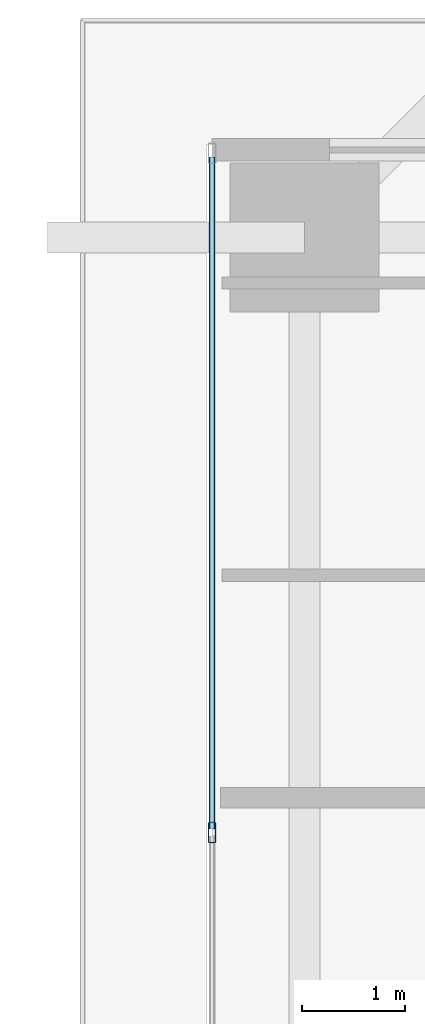
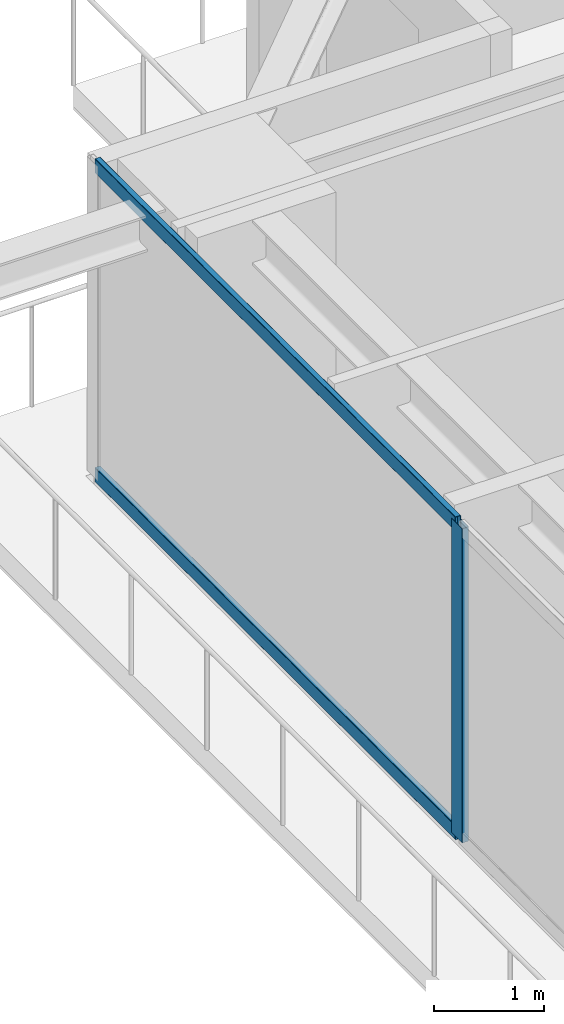
# One storey, part 16 of 38: 3 members, 1 element without a shape of its own.
"""IFC4 building model written with IfcOpenShell, lengths in metres."""

from ifc_helpers import new_model, si_unit, direction, frame, origin, origin_2d, place, context, subcontext, project, spatial, hollow_rectangle, extrude, source, transform, mapped, material, layer, layer_set, material_profile, profile_set, type_object, element, aggregate, save


model = new_model("IFC4")

# Units and contexts
model_context = context("Model", 3, precision=1e-05, world=origin(), true_north=direction((0.0, 1.0)))
body_context = subcontext(model_context, "Body", "Model", "MODEL_VIEW")
ifc_project = project(units=[si_unit("LENGTHUNIT", "METRE"), si_unit("AREAUNIT", "SQUARE_METRE"), si_unit("VOLUMEUNIT", "CUBIC_METRE"), si_unit("PLANEANGLEUNIT", "RADIAN"), si_unit("MASSUNIT", "GRAM", prefix="KILO")], contexts=[model_context])

# Site, building, storey
site_placement = place(None, origin())
site = spatial("IfcSite", under=ifc_project, at=site_placement, CompositionType="ELEMENT")
building_placement = place(site_placement, origin())
building = spatial("IfcBuilding", under=site, at=building_placement, Name="Serunith Strait Residences", CompositionType="ELEMENT")
storey_placement = place(building_placement, frame((0.0, 0.0, 37.949951171875)))
storey = spatial("IfcBuildingStorey", under=building, at=storey_placement, Name="L08", CompositionType="ELEMENT", Elevation=37.949951171875)

# Curtain wall, members
ifc_material = material(Name="Pale-Champagne Anodised Aluminium", Category="aluminium")
ifc_layer = layer(ifc_material, 0.199951171875, Name="Pale-Champagne Anodised Aluminium")
ifc_layer_set = layer_set([ifc_layer], Name="Pale-Champagne Anodised Aluminium")
curtain_wall_type = type_object("IfcCurtainWallType", Name="CW-SYS1", PredefinedType="NOTDEFINED", material=ifc_layer_set)
curtain_wall_placement = place(storey_placement, origin())
curtain_wall = element("IfcCurtainWall", 1, at=curtain_wall_placement, inside=storey, type_object=curtain_wall_type, Name="L08 W Unitised Fritted Curtain Wall", PredefinedType="NOTDEFINED")
ifc_material_profile_1 = material_profile(ifc_material, hollow_rectangle(XDim=0.070068359375, YDim=0.199951171875, WallThickness=0.00390625, InnerFilletRadius=0.006103515625, OuterFilletRadius=0.010009765625, at=origin_2d()), Name="ALU 200x70x4")
ifc_profile_set_1 = profile_set([ifc_material_profile_1], Name="Pale-Champagne Anodised Aluminium")
member_type_1 = type_object("IfcMemberType", Name="CW-SYS1-MULL", PredefinedType="MULLION", material=ifc_profile_set_1)
shared_shape_1 = source(origin(), body_context, "Body", "SweptSolid", [
    extrude(hollow_rectangle(XDim=0.070068359375, YDim=0.199951171875, WallThickness=0.00390625, InnerFilletRadius=0.006103515625, OuterFilletRadius=0.010009765625, at=origin_2d()), origin(), (0.0, 0.0, 1.0), 3.47509765625),
])
member_1_placement = place(storey_placement, frame((6.0, 35.159912109375, 0.0), z_axis=(0.0, 0.0, 1.0), x_axis=(1.0, 0.0, 0.0)))
member_1 = element("IfcMember", 2, at=member_1_placement, type_object=member_type_1, Name="CW-1 mullion 2", PredefinedType="MULLION", context=body_context, shape_type="MappedRepresentation", body=[
    mapped(shared_shape_1, transform((0.0, 0.0, 0.0), scale=1.0)),
])
ifc_material_profile_2 = material_profile(ifc_material, hollow_rectangle(XDim=0.06005859375, YDim=0.159912109375, WallThickness=0.00341796875, InnerFilletRadius=0.00537109375, OuterFilletRadius=0.0087890625, at=origin_2d()), Name="ALU 160x60x3.5")
ifc_profile_set_2 = profile_set([ifc_material_profile_2], Name="Pale-Champagne Anodised Aluminium")
member_type_2 = type_object("IfcMemberType", Name="CW-SYS1-TRAN", PredefinedType="USERDEFINED", material=ifc_profile_set_2)
shared_shape_2 = source(origin(), body_context, "Body", "SweptSolid", [
    extrude(hollow_rectangle(XDim=0.06005859375, YDim=0.159912109375, WallThickness=0.00341796875, InnerFilletRadius=0.00537109375, OuterFilletRadius=0.0087890625, at=origin_2d()), origin(), (0.0, 0.0, 1.0), 6.534912109375),
])
member_2_placement = place(storey_placement, frame((6.0, 41.72998046875, 0.030029296875), z_axis=(0.0, -1.0, 0.0), x_axis=(1.0, 0.0, 0.0)))
member_2 = element("IfcMember", 3, at=member_2_placement, type_object=member_type_2, Name="CW-1 transom 1.1", ObjectType="TRANSOM", PredefinedType="USERDEFINED", context=body_context, shape_type="MappedRepresentation", body=[
    mapped(shared_shape_2, transform((0.0, 0.0, 0.0), scale=1.0)),
])
member_3_placement = place(storey_placement, frame((6.0, 41.72998046875, 3.445068359375), z_axis=(0.0, -1.0, 0.0), x_axis=(1.0, 0.0, 0.0)))
member_3 = element("IfcMember", 4, at=member_3_placement, type_object=member_type_2, Name="CW-1 transom 1.2", ObjectType="TRANSOM", PredefinedType="USERDEFINED", context=body_context, shape_type="MappedRepresentation", body=[
    mapped(shared_shape_2, transform((0.0, 0.0, 0.0), scale=1.0)),
])
aggregate(curtain_wall, [member_1, member_2, member_3])

save(model, "model.ifc")
